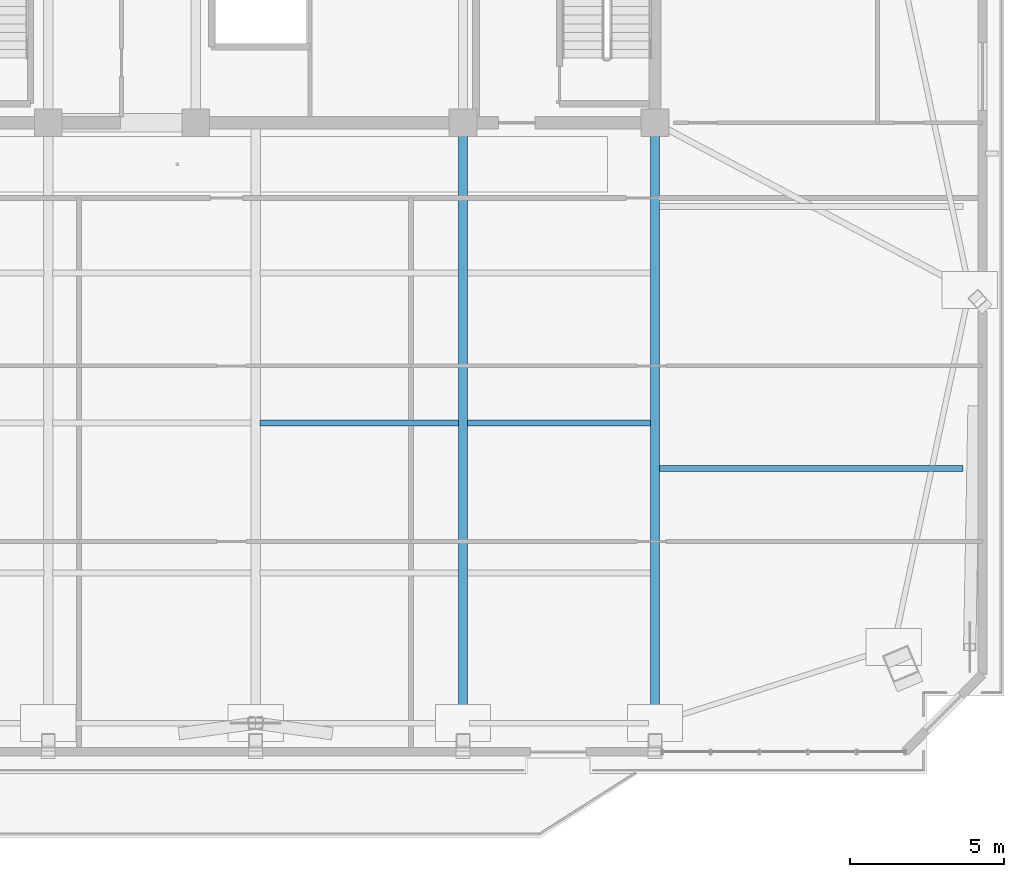
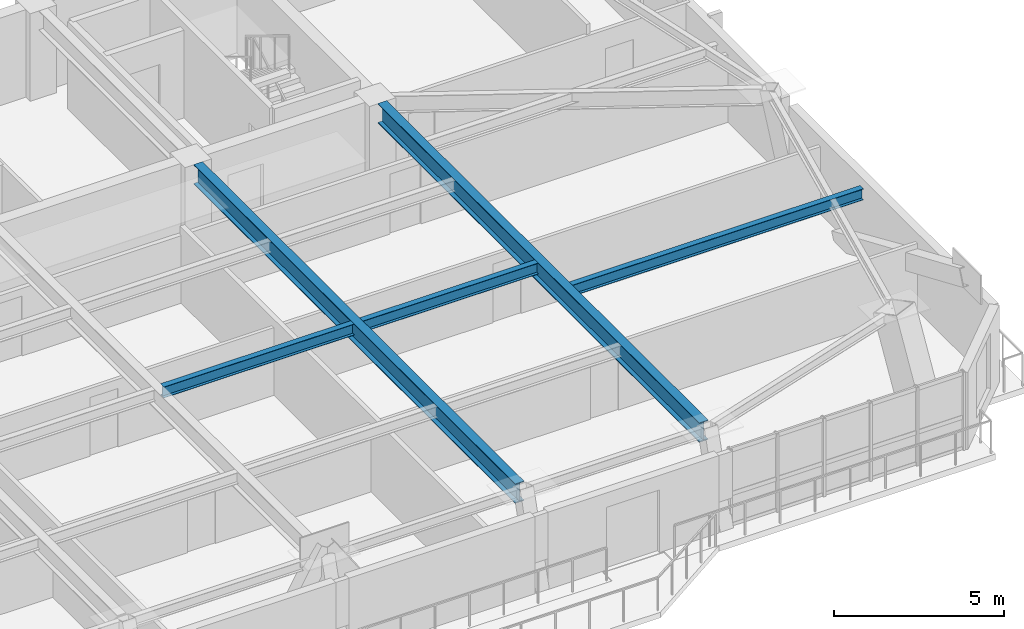
# One storey, part 5 of 15: 5 beams.
"""IFC4 building model written with IfcOpenShell, lengths in metres."""

from ifc_helpers import new_model, si_unit, direction, frame, origin, origin_2d, place, context, subcontext, project, spatial, i_section, extrude, source, transform, mapped, material, material_profile, profile_set, type_object, element, save


model = new_model("IFC4")

# Units and contexts
model_context = context("Model", 3, precision=1e-05, world=origin(), true_north=direction((0.0, 1.0)))
body_context = subcontext(model_context, "Body", "Model", "MODEL_VIEW")
ifc_project = project(units=[si_unit("LENGTHUNIT", "METRE"), si_unit("AREAUNIT", "SQUARE_METRE"), si_unit("VOLUMEUNIT", "CUBIC_METRE"), si_unit("PLANEANGLEUNIT", "RADIAN"), si_unit("MASSUNIT", "GRAM", prefix="KILO")], contexts=[model_context])

# Site, building, storey
site_placement = place(None, origin())
site = spatial("IfcSite", under=ifc_project, at=site_placement, CompositionType="ELEMENT")
building_placement = place(site_placement, origin())
building = spatial("IfcBuilding", under=site, at=building_placement, Name="Giltprow Tower", CompositionType="ELEMENT")
storey_placement = place(building_placement, frame((0.0, 0.0, 275.699951171875)))
storey = spatial("IfcBuildingStorey", under=building, at=storey_placement, Name="L71", CompositionType="ELEMENT", Elevation=275.699951171875)

# Beams
ifc_material = material(Name="Structural steel Q355B", Category="steel")
ifc_material_profile_1 = material_profile(ifc_material, i_section(OverallWidth=0.199951171875, OverallDepth=0.39990234375, WebThickness=0.008056640625, FlangeThickness=0.012939453125, at=origin_2d()), Name="HN 400x200x8x13")
ifc_profile_set_1 = profile_set([ifc_material_profile_1], Name="Structural steel Q355B")
beam_type_1 = type_object("IfcBeamType", Name="BM-JOIST-HN400", PredefinedType="JOIST", material=ifc_profile_set_1)
shared_shape_1 = source(origin(), body_context, "Body", "SweptSolid", [
    extrude(i_section(OverallWidth=0.199951171875, OverallDepth=0.39990234375, WebThickness=0.008056640625, FlangeThickness=0.012939453125, at=origin_2d()), origin(), (0.0, 0.0, 1.0), 6.4599609375),
])
beam_1_placement = place(storey_placement, frame((37.695068359375, 27.678955078125, 2.93994140625), z_axis=(1.0, 0.0, 0.0), x_axis=(0.0, 1.0, 0.0)))
element("IfcBeam", 1, at=beam_1_placement, inside=storey, type_object=beam_type_1, Name="L71 Composite Floor Joist 2-3", PredefinedType="JOIST", context=body_context, shape_type="MappedRepresentation", body=[
    mapped(shared_shape_1, transform((0.0, 0.0, 0.0), x_axis=(1.0, 0.0, 0.0), y_axis=(0.0, 1.0, 0.0), z_axis=(0.0, 0.0, 1.0), scale=1.0)),
])
shared_shape_2 = source(origin(), body_context, "Body", "SweptSolid", [
    extrude(i_section(OverallWidth=0.199951171875, OverallDepth=0.39990234375, WebThickness=0.008056640625, FlangeThickness=0.012939453125, at=origin_2d()), origin(), (0.0, 0.0, 1.0), 5.9599609375),
])
beam_2_placement = place(storey_placement, frame((44.445068359375, 27.678955078125, 2.93994140625), z_axis=(1.0, 0.0, 0.0), x_axis=(0.0, 1.0, 0.0)))
element("IfcBeam", 2, at=beam_2_placement, inside=storey, type_object=beam_type_1, Name="L71 Composite Floor Joist 2-4", PredefinedType="JOIST", context=body_context, shape_type="MappedRepresentation", body=[
    mapped(shared_shape_2, transform((0.0, 0.0, 0.0), x_axis=(1.0, 0.0, 0.0), y_axis=(0.0, 1.0, 0.0), z_axis=(0.0, 0.0, 1.0), scale=1.0)),
])
ifc_material_profile_2 = material_profile(ifc_material, i_section(OverallWidth=0.300048828125, OverallDepth=0.699951171875, WebThickness=0.012939453125, FlangeThickness=0.02392578125, at=origin_2d()), Name="HN 700x300x13x24")
ifc_profile_set_2 = profile_set([ifc_material_profile_2], Name="Structural steel Q355B")
beam_type_2 = type_object("IfcBeamType", Name="BM-GIRD-HN700", PredefinedType="BEAM", material=ifc_profile_set_2)
shared_shape_3 = source(origin(), body_context, "Body", "SweptSolid", [
    extrude(i_section(OverallWidth=0.300048828125, OverallDepth=0.699951171875, WebThickness=0.012939453125, FlangeThickness=0.02392578125, at=origin_2d()), origin(), (0.0, 0.0, 1.0), 18.89697265625),
])
for number, where, z_axis, x_axis, name in (
    (3, (44.300048828125, 18.117919921875, 2.7900390625), (0.0, 1.0, 0.0), (-1.0, 0.0, 0.0), "L71 Primary Lease Girder S3"),
    (4, (50.550048828125, 18.117919921875, 2.7900390625), (0.0, 1.0, 0.0), (-1.0, 0.0, 0.0), "L71 Primary Lease Girder S4"),
):
    element("IfcBeam", number, at=place(storey_placement, frame(where, z_axis=z_axis, x_axis=x_axis)), inside=storey, type_object=beam_type_2, Name=name, PredefinedType="BEAM", context=body_context, shape_type="MappedRepresentation", body=[
        mapped(shared_shape_3, transform((0.0, 0.0, 0.0), x_axis=(1.0, 0.0, 0.0), y_axis=(0.0, 1.0, 0.0), z_axis=(0.0, 0.0, 1.0), scale=1.0)),
    ])
shared_shape_4 = source(origin(), body_context, "Body", "SweptSolid", [
    extrude(i_section(OverallWidth=0.199951171875, OverallDepth=0.39990234375, WebThickness=0.008056640625, FlangeThickness=0.012939453125, at=origin_2d()), origin(), (0.0, 0.0, 1.0), 9.8759765625),
])
beam_3_placement = place(storey_placement, frame((50.695068359375, 26.194091796875, 2.93994140625), z_axis=(1.0, 0.0, 0.0), x_axis=(0.0, 1.0, 0.0)))
element("IfcBeam", 5, at=beam_3_placement, inside=storey, type_object=beam_type_1, Name="L71 East Wing Floor Joist 1", PredefinedType="JOIST", context=body_context, shape_type="MappedRepresentation", body=[
    mapped(shared_shape_4, transform((0.0, 0.0, 0.0), x_axis=(1.0, 0.0, 0.0), y_axis=(0.0, 1.0, 0.0), z_axis=(0.0, 0.0, 1.0), scale=1.0)),
])

save(model, "model.ifc")
